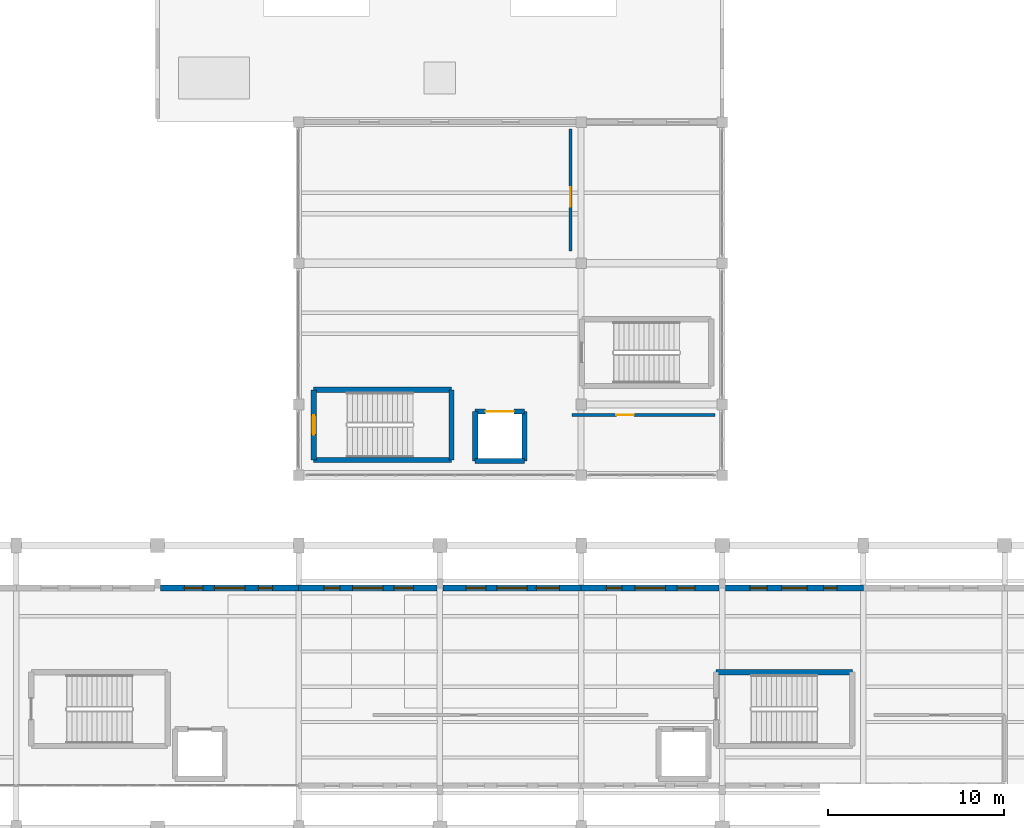
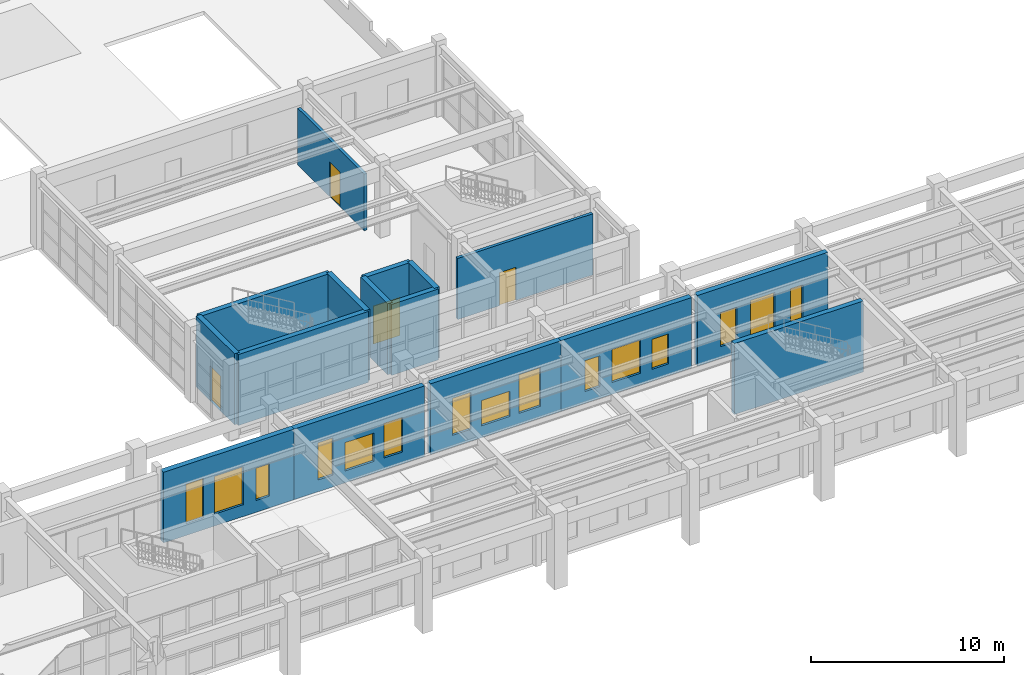
# One storey, part 44 of 59: 16 walls, 15 windows, 4 doors, 19 openings.
"""IFC4 building model written with IfcOpenShell, lengths in metres."""

from ifc_helpers import new_model, si_unit, direction, frame, frame_2d, origin, place, context, subcontext, project, spatial, rectangle, extrude, material, layer, layer_set, type_object, element, fill, save


model = new_model("IFC4")

# Units and contexts
model_context = context("Model", 3, precision=1e-05, world=origin(), true_north=direction((0.0, 1.0)))
body_context = subcontext(model_context, "Body", "Model", "MODEL_VIEW")
ifc_project = project(units=[si_unit("LENGTHUNIT", "METRE"), si_unit("AREAUNIT", "SQUARE_METRE"), si_unit("VOLUMEUNIT", "CUBIC_METRE"), si_unit("PLANEANGLEUNIT", "RADIAN"), si_unit("MASSUNIT", "GRAM", prefix="KILO")], contexts=[model_context])

# Site, building, storey
site_placement = place(None, origin())
site = spatial("IfcSite", under=ifc_project, at=site_placement, CompositionType="ELEMENT")
building_placement = place(site_placement, origin())
building = spatial("IfcBuilding", under=site, at=building_placement, Name="Serraluz Foothill Cableway Terminal", CompositionType="ELEMENT")
storey_placement = place(building_placement, frame((0.0, 0.0, 4.800048828125)))
storey = spatial("IfcBuildingStorey", under=building, at=storey_placement, Name="L01", CompositionType="ELEMENT", Elevation=4.800048828125)

# Wall, openings, windows
ifc_material_1 = material(Name="Dark clinker clay masonry brick (f'm 14 MPa)", Category="masonry")
ifc_layer_1 = layer(ifc_material_1, 0.320068359375, Name="Dark clinker clay masonry brick (f'm 14 MPa)", Category="masonry")
ifc_layer_set_1 = layer_set([ifc_layer_1], Name="Dark clinker clay masonry brick (f'm 14 MPa)")
wall_type_1 = type_object("IfcWallType", Name="TYP-WL-EXT-320", PredefinedType="STANDARD", material=ifc_layer_set_1)
wall_1_placement = place(storey_placement, frame((72.175048828125, 69.60009765625, 0.0), z_axis=(0.0, 0.0, 1.0), x_axis=(1.0, 0.0, 0.0)))
wall_1 = element("IfcWall", 1, at=wall_1_placement, inside=storey, type_object=wall_type_1, Name="Exterior Masonry Wall EW-V1N-L01-72", PredefinedType="STANDARD", context=body_context, shape_type="SweptSolid", body=[
    extrude(rectangle(XDim=7.824951171875, YDim=0.320068359375, at=frame_2d((3.91259765625, 0.0))), origin(), (0.0, 0.0, 1.0), 4.474853515625),
])
opening_1_placement = place(wall_1_placement, frame((1.35302734375, 0.0, 0.75)))
opening_1 = element("IfcOpeningElement", 2, at=opening_1_placement, cuts=wall_1, Name="Opening W-38", PredefinedType="OPENING", context=body_context, shape_type="SweptSolid", body=[
    extrude(rectangle(XDim=1.050048828125, YDim=2.5, at=frame_2d((0.52490234375, 1.25))), frame((0.0, 0.169921875, 0.0), z_axis=(0.0, -1.0, 0.0), x_axis=(1.0, 0.0, 0.0)), (0.0, 0.0, 1.0), 0.340087890625),
])
opening_2_placement = place(wall_1_placement, frame((3.051513671875, 0.0, 0.75)))
opening_2 = element("IfcOpeningElement", 3, at=opening_2_placement, cuts=wall_1, Name="Opening W-12", PredefinedType="OPENING", context=body_context, shape_type="SweptSolid", body=[
    extrude(rectangle(XDim=1.721923828125, YDim=2.39990234375, at=frame_2d((0.86083984375, 1.199951171875))), frame((0.0, 0.169921875, 0.0), z_axis=(0.0, -1.0, 0.0), x_axis=(1.0, 0.0, 0.0)), (0.0, 0.0, 1.0), 0.340087890625),
])
opening_3_placement = place(wall_1_placement, frame((5.547119140625, 0.0, 0.75)))
opening_3 = element("IfcOpeningElement", 4, at=opening_3_placement, cuts=wall_1, Name="Opening W-36", PredefinedType="OPENING", context=body_context, shape_type="SweptSolid", body=[
    extrude(rectangle(XDim=0.800048828125, YDim=2.050048828125, at=frame_2d((0.39990234375, 1.02490234375))), frame((0.0, 0.169921875, 0.0), z_axis=(0.0, -1.0, 0.0), x_axis=(1.0, 0.0, 0.0)), (0.0, 0.0, 1.0), 0.340087890625),
])
ifc_material_2 = material(Name="Laminated low-E safety glass", Category="glass")
window_type_1 = type_object("IfcWindowType", Name="TYP-WN-080X205", PartitioningType="SINGLE_PANEL", PredefinedType="WINDOW", material=ifc_material_2)
window_1_placement = place(opening_3_placement, origin())
window_1 = element("IfcWindow", 5, at=window_1_placement, inside=storey, type_object=window_type_1, Name="Exterior Window EW-V1N-L01-72-WN3", OverallHeight=2.050048828125, OverallWidth=0.800048828125, PartitioningType="SINGLE_PANEL", PredefinedType="WINDOW", context=body_context, shape_type="SweptSolid", body=[
    extrude(rectangle(XDim=0.800048828125, YDim=2.050048828125, at=frame_2d((0.39990234375, 1.02490234375))), frame((0.0, 0.030029296875, 0.0), z_axis=(0.0, -1.0, 0.0), x_axis=(1.0, 0.0, 0.0)), (0.0, 0.0, 1.0), 0.06005859375),
])
fill(opening_3, window_1)
window_type_2 = type_object("IfcWindowType", Name="TYP-WN-105X250", PartitioningType="SINGLE_PANEL", PredefinedType="WINDOW", material=ifc_material_2)
window_2_placement = place(opening_1_placement, origin())
window_2 = element("IfcWindow", 6, at=window_2_placement, inside=storey, type_object=window_type_2, Name="Exterior Window EW-V1N-L01-72-WN1", OverallHeight=2.5, OverallWidth=1.050048828125, PartitioningType="SINGLE_PANEL", PredefinedType="WINDOW", context=body_context, shape_type="SweptSolid", body=[
    extrude(rectangle(XDim=1.050048828125, YDim=2.5, at=frame_2d((0.52490234375, 1.25))), frame((0.0, 0.030029296875, 0.0), z_axis=(0.0, -1.0, 0.0), x_axis=(1.0, 0.0, 0.0)), (0.0, 0.0, 1.0), 0.06005859375),
])
fill(opening_1, window_2)
window_type_3 = type_object("IfcWindowType", Name="TYP-WN-210X240", PartitioningType="TRIPLE_PANEL_VERTICAL", PredefinedType="WINDOW", material=ifc_material_2)
window_3_placement = place(opening_2_placement, origin())
window_3 = element("IfcWindow", 7, at=window_3_placement, inside=storey, type_object=window_type_3, Name="Exterior Window EW-V1N-L01-72-WN2", OverallHeight=2.39990234375, OverallWidth=1.721923828125, PartitioningType="SINGLE_PANEL", PredefinedType="WINDOW", context=body_context, shape_type="SweptSolid", body=[
    extrude(rectangle(XDim=1.721923828125, YDim=2.39990234375, at=frame_2d((0.86083984375, 1.199951171875))), frame((0.0, 0.030029296875, 0.0), z_axis=(0.0, -1.0, 0.0), x_axis=(1.0, 0.0, 0.0)), (0.0, 0.0, 1.0), 0.06005859375),
])
fill(opening_2, window_3)

wall_2_placement = place(storey_placement, frame((80.0, 69.60009765625, 0.0), z_axis=(0.0, 0.0, 1.0), x_axis=(1.0, 0.0, 0.0)))
wall_2 = element("IfcWall", 8, at=wall_2_placement, inside=storey, type_object=wall_type_1, Name="Exterior Masonry Wall EW-V1N-L01-80", PredefinedType="STANDARD", context=body_context, shape_type="SweptSolid", body=[
    extrude(rectangle(XDim=7.824951171875, YDim=0.320068359375, at=frame_2d((3.91259765625, 0.0))), origin(), (0.0, 0.0, 1.0), 4.474853515625),
])
opening_4_placement = place(wall_2_placement, frame((1.427978515625, 0.0, 0.75)))
opening_4 = element("IfcOpeningElement", 9, at=opening_4_placement, cuts=wall_2, Name="Opening W-37", PredefinedType="OPENING", context=body_context, shape_type="SweptSolid", body=[
    extrude(rectangle(XDim=0.89990234375, YDim=2.35009765625, at=frame_2d((0.449951171875, 1.175048828125))), frame((0.0, 0.169921875, 0.0), z_axis=(0.0, -1.0, 0.0), x_axis=(1.0, 0.0, 0.0)), (0.0, 0.0, 1.0), 0.340087890625),
])
opening_5_placement = place(wall_2_placement, frame((3.051513671875, 0.0, 0.75)))
opening_5 = element("IfcOpeningElement", 10, at=opening_5_placement, cuts=wall_2, Name="Opening W-15", PredefinedType="OPENING", context=body_context, shape_type="SweptSolid", body=[
    extrude(rectangle(XDim=1.721923828125, YDim=1.800048828125, at=frame_2d((0.86083984375, 0.89990234375))), frame((0.0, 0.169921875, 0.0), z_axis=(0.0, -1.0, 0.0), x_axis=(1.0, 0.0, 0.0)), (0.0, 0.0, 1.0), 0.340087890625),
])
opening_6_placement = place(wall_2_placement, frame((5.39697265625, 0.0, 0.75)))
opening_6 = element("IfcOpeningElement", 11, at=opening_6_placement, cuts=wall_2, Name="Opening W-04", PredefinedType="OPENING", context=body_context, shape_type="SweptSolid", body=[
    extrude(rectangle(XDim=1.10009765625, YDim=2.199951171875, at=frame_2d((0.550048828125, 1.10009765625))), frame((0.0, 0.169921875, 0.0), z_axis=(0.0, -1.0, 0.0), x_axis=(1.0, 0.0, 0.0)), (0.0, 0.0, 1.0), 0.340087890625),
])
window_type_4 = type_object("IfcWindowType", Name="TYP-WN-090X235", PartitioningType="SINGLE_PANEL", PredefinedType="WINDOW", material=ifc_material_2)
window_4_placement = place(opening_4_placement, origin())
window_4 = element("IfcWindow", 12, at=window_4_placement, inside=storey, type_object=window_type_4, Name="Exterior Window EW-V1N-L01-80-WN1", OverallHeight=2.35009765625, OverallWidth=0.89990234375, PartitioningType="SINGLE_PANEL", PredefinedType="WINDOW", context=body_context, shape_type="SweptSolid", body=[
    extrude(rectangle(XDim=0.89990234375, YDim=2.35009765625, at=frame_2d((0.449951171875, 1.175048828125))), frame((0.0, 0.030029296875, 0.0), z_axis=(0.0, -1.0, 0.0), x_axis=(1.0, 0.0, 0.0)), (0.0, 0.0, 1.0), 0.06005859375),
])
fill(opening_4, window_4)
window_type_5 = type_object("IfcWindowType", Name="TYP-WN-110X220", PartitioningType="SINGLE_PANEL", PredefinedType="WINDOW", material=ifc_material_2)
window_5_placement = place(opening_6_placement, origin())
window_5 = element("IfcWindow", 13, at=window_5_placement, inside=storey, type_object=window_type_5, Name="Exterior Window EW-V1N-L01-80-WN3", OverallHeight=2.199951171875, OverallWidth=1.10009765625, PartitioningType="SINGLE_PANEL", PredefinedType="WINDOW", context=body_context, shape_type="SweptSolid", body=[
    extrude(rectangle(XDim=1.10009765625, YDim=2.199951171875, at=frame_2d((0.550048828125, 1.10009765625))), frame((0.0, 0.030029296875, 0.0), z_axis=(0.0, -1.0, 0.0), x_axis=(1.0, 0.0, 0.0)), (0.0, 0.0, 1.0), 0.06005859375),
])
fill(opening_6, window_5)
window_type_6 = type_object("IfcWindowType", Name="TYP-WN-270X180", PartitioningType="TRIPLE_PANEL_VERTICAL", PredefinedType="WINDOW", material=ifc_material_2)
window_6_placement = place(opening_5_placement, origin())
window_6 = element("IfcWindow", 14, at=window_6_placement, inside=storey, type_object=window_type_6, Name="Exterior Window EW-V1N-L01-80-WN2", OverallHeight=1.800048828125, OverallWidth=1.721923828125, PartitioningType="SINGLE_PANEL", PredefinedType="WINDOW", context=body_context, shape_type="SweptSolid", body=[
    extrude(rectangle(XDim=1.721923828125, YDim=1.800048828125, at=frame_2d((0.86083984375, 0.89990234375))), frame((0.0, 0.030029296875, 0.0), z_axis=(0.0, -1.0, 0.0), x_axis=(1.0, 0.0, 0.0)), (0.0, 0.0, 1.0), 0.06005859375),
])
fill(opening_5, window_6)

wall_3_placement = place(storey_placement, frame((88.175048828125, 69.60009765625, 0.0), z_axis=(0.0, 0.0, 1.0), x_axis=(1.0, 0.0, 0.0)))
wall_3 = element("IfcWall", 15, at=wall_3_placement, inside=storey, type_object=wall_type_1, Name="Exterior Masonry Wall EW-V1N-L01-88", PredefinedType="STANDARD", context=body_context, shape_type="SweptSolid", body=[
    extrude(rectangle(XDim=7.824951171875, YDim=0.320068359375, at=frame_2d((3.91259765625, 0.0))), origin(), (0.0, 0.0, 1.0), 4.474853515625),
])
opening_7_placement = place(wall_3_placement, frame((1.318115234375, 0.0, 0.75)))
opening_7 = element("IfcOpeningElement", 16, at=opening_7_placement, cuts=wall_3, Name="Opening W-50", PredefinedType="OPENING", context=body_context, shape_type="SweptSolid", body=[
    extrude(rectangle(XDim=1.1201171875, YDim=2.35009765625, at=frame_2d((0.56005859375, 1.175048828125))), frame((0.0, 0.169921875, 0.0), z_axis=(0.0, -1.0, 0.0), x_axis=(1.0, 0.0, 0.0)), (0.0, 0.0, 1.0), 0.340087890625),
])
opening_8_placement = place(wall_3_placement, frame((3.051513671875, 0.0, 0.75)))
opening_8 = element("IfcOpeningElement", 17, at=opening_8_placement, cuts=wall_3, Name="Opening W-18", PredefinedType="OPENING", context=body_context, shape_type="SweptSolid", body=[
    extrude(rectangle(XDim=1.721923828125, YDim=1.60009765625, at=frame_2d((0.86083984375, 0.800048828125))), frame((0.0, 0.169921875, 0.0), z_axis=(0.0, -1.0, 0.0), x_axis=(1.0, 0.0, 0.0)), (0.0, 0.0, 1.0), 0.340087890625),
])
opening_9_placement = place(wall_3_placement, frame((5.297119140625, 0.0, 0.75)))
opening_9 = element("IfcOpeningElement", 18, at=opening_9_placement, cuts=wall_3, Name="Opening W-40", PredefinedType="OPENING", context=body_context, shape_type="SweptSolid", body=[
    extrude(rectangle(XDim=1.300048828125, YDim=2.449951171875, at=frame_2d((0.64990234375, 1.22509765625))), frame((0.0, 0.169921875, 0.0), z_axis=(0.0, -1.0, 0.0), x_axis=(1.0, 0.0, 0.0)), (0.0, 0.0, 1.0), 0.340087890625),
])
window_type_7 = type_object("IfcWindowType", Name="TYP-WN-112X235", PartitioningType="SINGLE_PANEL", PredefinedType="WINDOW", material=ifc_material_2)
window_7_placement = place(opening_7_placement, origin())
window_7 = element("IfcWindow", 19, at=window_7_placement, inside=storey, type_object=window_type_7, Name="Exterior Window EW-V1N-L01-88-WN1", OverallHeight=2.35009765625, OverallWidth=1.1201171875, PartitioningType="SINGLE_PANEL", PredefinedType="WINDOW", context=body_context, shape_type="SweptSolid", body=[
    extrude(rectangle(XDim=1.1201171875, YDim=2.35009765625, at=frame_2d((0.56005859375, 1.175048828125))), frame((0.0, 0.030029296875, 0.0), z_axis=(0.0, -1.0, 0.0), x_axis=(1.0, 0.0, 0.0)), (0.0, 0.0, 1.0), 0.06005859375),
])
fill(opening_7, window_7)
window_type_8 = type_object("IfcWindowType", Name="TYP-WN-130X245", PartitioningType="DOUBLE_PANEL_VERTICAL", PredefinedType="WINDOW", material=ifc_material_2)
window_8_placement = place(opening_9_placement, origin())
window_8 = element("IfcWindow", 20, at=window_8_placement, inside=storey, type_object=window_type_8, Name="Exterior Window EW-V1N-L01-88-WN3", OverallHeight=2.449951171875, OverallWidth=1.300048828125, PartitioningType="SINGLE_PANEL", PredefinedType="WINDOW", context=body_context, shape_type="SweptSolid", body=[
    extrude(rectangle(XDim=1.300048828125, YDim=2.449951171875, at=frame_2d((0.64990234375, 1.22509765625))), frame((0.0, 0.030029296875, 0.0), z_axis=(0.0, -1.0, 0.0), x_axis=(1.0, 0.0, 0.0)), (0.0, 0.0, 1.0), 0.06005859375),
])
fill(opening_9, window_8)
window_type_9 = type_object("IfcWindowType", Name="TYP-WN-330X160", PartitioningType="TRIPLE_PANEL_VERTICAL", PredefinedType="WINDOW", material=ifc_material_2)
window_9_placement = place(opening_8_placement, origin())
window_9 = element("IfcWindow", 21, at=window_9_placement, inside=storey, type_object=window_type_9, Name="Exterior Window EW-V1N-L01-88-WN2", OverallHeight=1.60009765625, OverallWidth=1.721923828125, PartitioningType="SINGLE_PANEL", PredefinedType="WINDOW", context=body_context, shape_type="SweptSolid", body=[
    extrude(rectangle(XDim=1.721923828125, YDim=1.60009765625, at=frame_2d((0.86083984375, 0.800048828125))), frame((0.0, 0.030029296875, 0.0), z_axis=(0.0, -1.0, 0.0), x_axis=(1.0, 0.0, 0.0)), (0.0, 0.0, 1.0), 0.06005859375),
])
fill(opening_8, window_9)

wall_4_placement = place(storey_placement, frame((96.0, 69.60009765625, 0.0), z_axis=(0.0, 0.0, 1.0), x_axis=(1.0, 0.0, 0.0)))
wall_4 = element("IfcWall", 22, at=wall_4_placement, inside=storey, type_object=wall_type_1, Name="Exterior Masonry Wall EW-V1N-L01-96", PredefinedType="STANDARD", context=body_context, shape_type="SweptSolid", body=[
    extrude(rectangle(XDim=7.824951171875, YDim=0.320068359375, at=frame_2d((3.91259765625, 0.0))), origin(), (0.0, 0.0, 1.0), 4.474853515625),
])
opening_10_placement = place(wall_4_placement, frame((1.43798828125, 0.0, 0.75)))
opening_10 = element("IfcOpeningElement", 23, at=opening_10_placement, cuts=wall_4, Name="Opening W-48", PredefinedType="OPENING", context=body_context, shape_type="SweptSolid", body=[
    extrude(rectangle(XDim=0.8798828125, YDim=1.949951171875, at=frame_2d((0.43994140625, 0.97509765625))), frame((0.0, 0.169921875, 0.0), z_axis=(0.0, -1.0, 0.0), x_axis=(1.0, 0.0, 0.0)), (0.0, 0.0, 1.0), 0.340087890625),
])
opening_11_placement = place(wall_4_placement, frame((3.051513671875, 0.0, 0.75)))
opening_11 = element("IfcOpeningElement", 24, at=opening_11_placement, cuts=wall_4, Name="Opening W-22", PredefinedType="OPENING", context=body_context, shape_type="SweptSolid", body=[
    extrude(rectangle(XDim=1.721923828125, YDim=2.10009765625, at=frame_2d((0.86083984375, 1.050048828125))), frame((0.0, 0.169921875, 0.0), z_axis=(0.0, -1.0, 0.0), x_axis=(1.0, 0.0, 0.0)), (0.0, 0.0, 1.0), 0.340087890625),
])
opening_12_placement = place(wall_4_placement, frame((5.447021484375, 0.0, 0.75)))
opening_12 = element("IfcOpeningElement", 25, at=opening_12_placement, cuts=wall_4, Name="Opening W-24", PredefinedType="OPENING", context=body_context, shape_type="SweptSolid", body=[
    extrude(rectangle(XDim=1.0, YDim=1.89990234375, at=frame_2d((0.5, 0.949951171875))), frame((0.0, 0.169921875, 0.0), z_axis=(0.0, -1.0, 0.0), x_axis=(1.0, 0.0, 0.0)), (0.0, 0.0, 1.0), 0.340087890625),
])
window_type_10 = type_object("IfcWindowType", Name="TYP-WN-088X195", PartitioningType="SINGLE_PANEL", PredefinedType="WINDOW", material=ifc_material_2)
window_10_placement = place(opening_10_placement, origin())
window_10 = element("IfcWindow", 26, at=window_10_placement, inside=storey, type_object=window_type_10, Name="Exterior Window EW-V1N-L01-96-WN1", OverallHeight=1.949951171875, OverallWidth=0.8798828125, PartitioningType="SINGLE_PANEL", PredefinedType="WINDOW", context=body_context, shape_type="SweptSolid", body=[
    extrude(rectangle(XDim=0.8798828125, YDim=1.949951171875, at=frame_2d((0.43994140625, 0.97509765625))), frame((0.0, 0.030029296875, 0.0), z_axis=(0.0, -1.0, 0.0), x_axis=(1.0, 0.0, 0.0)), (0.0, 0.0, 1.0), 0.06005859375),
])
fill(opening_10, window_10)
window_type_11 = type_object("IfcWindowType", Name="TYP-WN-100X190", PartitioningType="SINGLE_PANEL", PredefinedType="WINDOW", material=ifc_material_2)
window_11_placement = place(opening_12_placement, origin())
window_11 = element("IfcWindow", 27, at=window_11_placement, inside=storey, type_object=window_type_11, Name="Exterior Window EW-V1N-L01-96-WN3", OverallHeight=1.89990234375, OverallWidth=1.0, PartitioningType="SINGLE_PANEL", PredefinedType="WINDOW", context=body_context, shape_type="SweptSolid", body=[
    extrude(rectangle(XDim=1.0, YDim=1.89990234375, at=frame_2d((0.5, 0.949951171875))), frame((0.0, 0.030029296875, 0.0), z_axis=(0.0, -1.0, 0.0), x_axis=(1.0, 0.0, 0.0)), (0.0, 0.0, 1.0), 0.06005859375),
])
fill(opening_12, window_11)
window_type_12 = type_object("IfcWindowType", Name="TYP-WN-420X210", PartitioningType="TRIPLE_PANEL_VERTICAL", PredefinedType="WINDOW", material=ifc_material_2)
window_12_placement = place(opening_11_placement, origin())
window_12 = element("IfcWindow", 28, at=window_12_placement, inside=storey, type_object=window_type_12, Name="Exterior Window EW-V1N-L01-96-WN2", OverallHeight=2.10009765625, OverallWidth=1.721923828125, PartitioningType="SINGLE_PANEL", PredefinedType="WINDOW", context=body_context, shape_type="SweptSolid", body=[
    extrude(rectangle(XDim=1.721923828125, YDim=2.10009765625, at=frame_2d((0.86083984375, 1.050048828125))), frame((0.0, 0.030029296875, 0.0), z_axis=(0.0, -1.0, 0.0), x_axis=(1.0, 0.0, 0.0)), (0.0, 0.0, 1.0), 0.06005859375),
])
fill(opening_11, window_12)

wall_5_placement = place(storey_placement, frame((104.175048828125, 69.60009765625, 0.0), z_axis=(0.0, 0.0, 1.0), x_axis=(1.0, 0.0, 0.0)))
wall_5 = element("IfcWall", 29, at=wall_5_placement, inside=storey, type_object=wall_type_1, Name="Exterior Masonry Wall EW-V1N-L01-104", PredefinedType="STANDARD", context=body_context, shape_type="SweptSolid", body=[
    extrude(rectangle(XDim=7.824951171875, YDim=0.320068359375, at=frame_2d((3.91259765625, 0.0))), origin(), (0.0, 0.0, 1.0), 4.474853515625),
])
opening_13_placement = place(wall_5_placement, frame((1.387939453125, 0.0, 0.75)))
opening_13 = element("IfcOpeningElement", 30, at=opening_13_placement, cuts=wall_5, Name="Opening W-49", PredefinedType="OPENING", context=body_context, shape_type="SweptSolid", body=[
    extrude(rectangle(XDim=0.97998046875, YDim=2.14990234375, at=frame_2d((0.489990234375, 1.074951171875))), frame((0.0, 0.169921875, 0.0), z_axis=(0.0, -1.0, 0.0), x_axis=(1.0, 0.0, 0.0)), (0.0, 0.0, 1.0), 0.340087890625),
])
opening_14_placement = place(wall_5_placement, frame((3.1875, 0.0, 0.75)))
opening_14 = element("IfcOpeningElement", 31, at=opening_14_placement, cuts=wall_5, Name="Opening W-26", PredefinedType="OPENING", context=body_context, shape_type="SweptSolid", body=[
    extrude(rectangle(XDim=1.449951171875, YDim=2.300048828125, at=frame_2d((0.72509765625, 1.14990234375))), frame((0.0, 0.169921875, 0.0), z_axis=(0.0, -1.0, 0.0), x_axis=(1.0, 0.0, 0.0)), (0.0, 0.0, 1.0), 0.340087890625),
])
opening_15_placement = place(wall_5_placement, frame((5.572021484375, 0.0, 0.75)))
opening_15 = element("IfcOpeningElement", 32, at=opening_15_placement, cuts=wall_5, Name="Opening W-01", PredefinedType="OPENING", context=body_context, shape_type="SweptSolid", body=[
    extrude(rectangle(XDim=0.75, YDim=2.199951171875, at=frame_2d((0.375, 1.10009765625))), frame((0.0, 0.169921875, 0.0), z_axis=(0.0, -1.0, 0.0), x_axis=(1.0, 0.0, 0.0)), (0.0, 0.0, 1.0), 0.340087890625),
])
window_type_13 = type_object("IfcWindowType", Name="TYP-WN-075X220", PartitioningType="SINGLE_PANEL", PredefinedType="WINDOW", material=ifc_material_2)
window_13_placement = place(opening_15_placement, origin())
window_13 = element("IfcWindow", 33, at=window_13_placement, inside=storey, type_object=window_type_13, Name="Exterior Window EW-V1N-L01-104-WN3", OverallHeight=2.199951171875, OverallWidth=0.75, PartitioningType="SINGLE_PANEL", PredefinedType="WINDOW", context=body_context, shape_type="SweptSolid", body=[
    extrude(rectangle(XDim=0.75, YDim=2.199951171875, at=frame_2d((0.375, 1.10009765625))), frame((0.0, 0.030029296875, 0.0), z_axis=(0.0, -1.0, 0.0), x_axis=(1.0, 0.0, 0.0)), (0.0, 0.0, 1.0), 0.06005859375),
])
fill(opening_15, window_13)
window_type_14 = type_object("IfcWindowType", Name="TYP-WN-098X215", PartitioningType="SINGLE_PANEL", PredefinedType="WINDOW", material=ifc_material_2)
window_14_placement = place(opening_13_placement, origin())
window_14 = element("IfcWindow", 34, at=window_14_placement, inside=storey, type_object=window_type_14, Name="Exterior Window EW-V1N-L01-104-WN1", OverallHeight=2.14990234375, OverallWidth=0.97998046875, PartitioningType="SINGLE_PANEL", PredefinedType="WINDOW", context=body_context, shape_type="SweptSolid", body=[
    extrude(rectangle(XDim=0.97998046875, YDim=2.14990234375, at=frame_2d((0.489990234375, 1.074951171875))), frame((0.0, 0.030029296875, 0.0), z_axis=(0.0, -1.0, 0.0), x_axis=(1.0, 0.0, 0.0)), (0.0, 0.0, 1.0), 0.06005859375),
])
fill(opening_13, window_14)
window_type_15 = type_object("IfcWindowType", Name="TYP-WN-145X230", PartitioningType="DOUBLE_PANEL_VERTICAL", PredefinedType="WINDOW", material=ifc_material_2)
window_15_placement = place(opening_14_placement, origin())
window_15 = element("IfcWindow", 35, at=window_15_placement, inside=storey, type_object=window_type_15, Name="Exterior Window EW-V1N-L01-104-WN2", OverallHeight=2.300048828125, OverallWidth=1.449951171875, PartitioningType="SINGLE_PANEL", PredefinedType="WINDOW", context=body_context, shape_type="SweptSolid", body=[
    extrude(rectangle(XDim=1.449951171875, YDim=2.300048828125, at=frame_2d((0.72509765625, 1.14990234375))), frame((0.0, 0.030029296875, 0.0), z_axis=(0.0, -1.0, 0.0), x_axis=(1.0, 0.0, 0.0)), (0.0, 0.0, 1.0), 0.06005859375),
])
fill(opening_14, window_15)

# Wall, opening, door
ifc_material_3 = material(Name="Fired clay masonry brick (f'm 12 MPa)", Category="masonry")
ifc_layer_2 = layer(ifc_material_3, 0.179931640625, Name="Fired clay masonry brick (f'm 12 MPa)", Category="masonry")
ifc_layer_set_2 = layer_set([ifc_layer_2], Name="Fired clay masonry brick (f'm 12 MPa)")
wall_type_2 = type_object("IfcWallType", Name="TYP-WL-PRT-180", PredefinedType="PARTITIONING", material=ifc_layer_set_2)
wall_6_placement = place(storey_placement, frame((95.39990234375, 88.699951171875, 0.0), z_axis=(0.0, 0.0, 1.0), x_axis=(0.0, 1.0, 0.0)))
wall_6 = element("IfcWall", 36, at=wall_6_placement, inside=storey, type_object=wall_type_2, Name="Interior Partition PT-L01-12W", PredefinedType="PARTITIONING", context=body_context, shape_type="SweptSolid", body=[
    extrude(rectangle(XDim=6.900146484375, YDim=0.179931640625, at=frame_2d((3.4501953125, 0.0))), origin(), (0.0, 0.0, 1.0), 3.592041015625),
])
opening_16_placement = place(wall_6_placement, frame((2.5, 0.0, 0.0)))
opening_16 = element("IfcOpeningElement", 37, at=opening_16_placement, cuts=wall_6, Name="Opening DF-03", PredefinedType="OPENING", context=body_context, shape_type="SweptSolid", body=[
    extrude(rectangle(XDim=1.10009765625, YDim=2.199951171875, at=frame_2d((0.550048828125, 1.10009765625))), frame((0.0, 0.10009765625, 0.0), z_axis=(0.0, -1.0, 0.0), x_axis=(1.0, 0.0, 0.0)), (0.0, 0.0, 1.0), 0.199951171875),
])
ifc_material_4 = material(Name="Galvanized hollow-metal steel sheet", Category="steel")
door_type_1 = type_object("IfcDoorType", Name="TYP-DR-FD30-1100", OperationType="NOTDEFINED", PredefinedType="DOOR", material=ifc_material_4)
door_1_placement = place(opening_16_placement, origin())
door_1 = element("IfcDoor", 38, at=door_1_placement, inside=storey, type_object=door_type_1, Name="Interior Door PT-L01-12W-DR1", OperationType="SINGLE_SWING_RIGHT", OverallHeight=2.199951171875, OverallWidth=1.10009765625, PredefinedType="DOOR", context=body_context, shape_type="SweptSolid", body=[
    extrude(rectangle(XDim=1.10009765625, YDim=2.199951171875, at=frame_2d((0.550048828125, 1.10009765625))), frame((0.0, 0.02490234375, 0.0), z_axis=(0.0, -1.0, 0.0), x_axis=(1.0, 0.0, 0.0)), (0.0, 0.0, 1.0), 0.050048828125),
])
fill(opening_16, door_1)

wall_7_placement = place(storey_placement, frame((95.5, 79.39990234375, 0.0), z_axis=(0.0, 0.0, 1.0), x_axis=(1.0, 0.0, 0.0)))
wall_7 = element("IfcWall", 39, at=wall_7_placement, inside=storey, type_object=wall_type_2, Name="Interior Partition PT-L01-13N", PredefinedType="PARTITIONING", context=body_context, shape_type="SweptSolid", body=[
    extrude(rectangle(XDim=8.10009765625, YDim=0.179931640625, at=frame_2d((4.050048828125, 0.0))), origin(), (0.0, 0.0, 1.0), 3.8759765625),
])
opening_17_placement = place(wall_7_placement, frame((2.5, 0.0, 0.0)))
opening_17 = element("IfcOpeningElement", 40, at=opening_17_placement, cuts=wall_7, Name="Opening DI-04", PredefinedType="OPENING", context=body_context, shape_type="SweptSolid", body=[
    extrude(rectangle(XDim=1.0, YDim=2.10009765625, at=frame_2d((0.5, 1.050048828125))), frame((0.0, 0.10009765625, 0.0), z_axis=(0.0, -1.0, 0.0), x_axis=(1.0, 0.0, 0.0)), (0.0, 0.0, 1.0), 0.199951171875),
])
ifc_material_5 = material(Name="Kiln-dried Andean oak hardwood", Category="wood")
door_type_2 = type_object("IfcDoorType", Name="TYP-DR-ACC-1000", OperationType="NOTDEFINED", PredefinedType="DOOR", material=ifc_material_5)
door_2_placement = place(opening_17_placement, origin())
door_2 = element("IfcDoor", 41, at=door_2_placement, inside=storey, type_object=door_type_2, Name="Interior Door PT-L01-13N-DR1", OperationType="SINGLE_SWING_LEFT", OverallHeight=2.10009765625, OverallWidth=1.0, PredefinedType="DOOR", context=body_context, shape_type="SweptSolid", body=[
    extrude(rectangle(XDim=1.0, YDim=2.10009765625, at=frame_2d((0.5, 1.050048828125))), frame((0.0, 0.02490234375, 0.0), z_axis=(0.0, -1.0, 0.0), x_axis=(1.0, 0.0, 0.0)), (0.0, 0.0, 1.0), 0.050048828125),
])
fill(opening_17, door_2)

# Walls
ifc_material_6 = material(Name="Concrete C35/45 (f'c 35 MPa)", Category="concrete")
ifc_layer_3 = layer(ifc_material_6, 0.300048828125, Name="Concrete C35/45 (f'c 35 MPa)", Category="concrete")
ifc_layer_set_3 = layer_set([ifc_layer_3], Name="Concrete C35/45 (f'c 35 MPa)")
wall_type_3 = type_object("IfcWallType", Name="TYP-WL-SHR-350", PredefinedType="SHEAR", material=ifc_layer_set_3)
wall_8_placement = place(storey_placement, frame((103.64990234375, 64.830078125, 0.0), z_axis=(0.0, 0.0, 1.0), x_axis=(1.0, 0.0, 0.0)))
element("IfcWall", 42, at=wall_8_placement, inside=storey, type_object=wall_type_3, Name="Stair Core Shear Wall CW-ST-04-L01-N", PredefinedType="SHEAR", context=body_context, shape_type="SweptSolid", body=[
    extrude(rectangle(XDim=7.72509765625, YDim=0.300048828125, at=frame_2d((3.862548828125, 0.0))), origin(), (0.0, 0.0, 1.0), 4.5),
])
wall_9_placement = place(storey_placement, frame((88.659912109375, 76.85009765625, 0.0), z_axis=(0.0, 0.0, 1.0), x_axis=(-1.0, 0.0, 0.0)))
element("IfcWall", 43, at=wall_9_placement, inside=storey, type_object=wall_type_3, Name="Stair Core Shear Wall CW-ST-08-L01-S", PredefinedType="SHEAR", context=body_context, shape_type="SweptSolid", body=[
    extrude(rectangle(XDim=7.809814453125, YDim=0.300048828125, at=frame_2d((3.90478515625, 0.0))), origin(), (0.0, 0.0, 1.0), 4.5),
])

# Wall, opening, door
wall_10_placement = place(storey_placement, frame((80.85009765625, 76.85009765625, 0.0), z_axis=(0.0, 0.0, 1.0), x_axis=(0.0, 1.0, 0.0)))
wall_10 = element("IfcWall", 44, at=wall_10_placement, inside=storey, type_object=wall_type_3, Name="Stair Core Shear Wall CW-ST-08-L01-W", PredefinedType="SHEAR", context=body_context, shape_type="SweptSolid", body=[
    extrude(rectangle(XDim=3.97998046875, YDim=0.300048828125, at=frame_2d((1.989990234375, 0.0))), origin(), (0.0, 0.0, 1.0), 4.5),
])
opening_18_placement = place(wall_10_placement, frame((1.43994140625, 0.0, 0.0)))
opening_18 = element("IfcOpeningElement", 45, at=opening_18_placement, cuts=wall_10, Name="Opening DF-07", PredefinedType="OPENING", context=body_context, shape_type="SweptSolid", body=[
    extrude(rectangle(XDim=1.10009765625, YDim=2.199951171875, at=frame_2d((0.550048828125, 1.10009765625))), frame((0.0, 0.16015625, 0.0), z_axis=(0.0, -1.0, 0.0), x_axis=(1.0, 0.0, 0.0)), (0.0, 0.0, 1.0), 0.320068359375),
])
door_type_3 = type_object("IfcDoorType", Name="TYP-DR-FD60-1100", OperationType="NOTDEFINED", PredefinedType="DOOR", material=ifc_material_4)
door_3_placement = place(opening_18_placement, origin())
door_3 = element("IfcDoor", 46, at=door_3_placement, inside=storey, type_object=door_type_3, Name="Exit Stair Fire Door ST-08 L01", OperationType="SINGLE_SWING_LEFT", OverallHeight=2.199951171875, OverallWidth=1.10009765625, PredefinedType="DOOR", context=body_context, shape_type="SweptSolid", body=[
    extrude(rectangle(XDim=1.10009765625, YDim=2.199951171875, at=frame_2d((0.550048828125, 1.10009765625))), frame((0.0, 0.02490234375, 0.0), z_axis=(0.0, -1.0, 0.0), x_axis=(1.0, 0.0, 0.0)), (0.0, 0.0, 1.0), 0.050048828125),
])
fill(opening_18, door_3)

# Walls
wall_11_placement = place(storey_placement, frame((80.85009765625, 80.830078125, 0.0), z_axis=(0.0, 0.0, 1.0), x_axis=(1.0, 0.0, 0.0)))
element("IfcWall", 47, at=wall_11_placement, inside=storey, type_object=wall_type_3, Name="Stair Core Shear Wall CW-ST-08-L01-N", PredefinedType="SHEAR", context=body_context, shape_type="SweptSolid", body=[
    extrude(rectangle(XDim=7.809814453125, YDim=0.300048828125, at=frame_2d((3.90478515625, 0.0))), origin(), (0.0, 0.0, 1.0), 4.5),
])
wall_12_placement = place(storey_placement, frame((88.659912109375, 80.830078125, 0.0), z_axis=(0.0, 0.0, 1.0), x_axis=(0.0, -1.0, 0.0)))
element("IfcWall", 48, at=wall_12_placement, inside=storey, type_object=wall_type_3, Name="Stair Core Shear Wall CW-ST-08-L01-E", PredefinedType="SHEAR", context=body_context, shape_type="SweptSolid", body=[
    extrude(rectangle(XDim=3.97998046875, YDim=0.300048828125, at=frame_2d((1.989990234375, 0.0))), origin(), (0.0, 0.0, 1.0), 4.5),
])
for number, where, z_axis, x_axis, name in (
    (49, (92.800048828125, 76.800048828125, 0.0), (0.0, 0.0, 1.0), (-1.0, 0.0, 0.0), "Lift Shaft Shear Wall LW-LF-07-L01-S"),
    (50, (90.0, 76.800048828125, 0.0), (0.0, 0.0, 1.0), (0.0, 1.0, 0.0), "Lift Shaft Shear Wall LW-LF-07-L01-W"),
):
    element("IfcWall", number, at=place(storey_placement, frame(where, z_axis=z_axis, x_axis=x_axis)), inside=storey, type_object=wall_type_3, Name=name, PredefinedType="SHEAR", context=body_context, shape_type="SweptSolid", body=[
        extrude(rectangle(XDim=2.800048828125, YDim=0.300048828125, at=frame_2d((1.39990234375, 0.0))), origin(), (0.0, 0.0, 1.0), 4.5),
    ])

# Wall, opening, door
wall_13_placement = place(storey_placement, frame((90.0, 79.60009765625, 0.0), z_axis=(0.0, 0.0, 1.0), x_axis=(1.0, 0.0, 0.0)))
wall_13 = element("IfcWall", 51, at=wall_13_placement, inside=storey, type_object=wall_type_3, Name="Lift Shaft Shear Wall LW-LF-07-L01-N", PredefinedType="SHEAR", context=body_context, shape_type="SweptSolid", body=[
    extrude(rectangle(XDim=2.800048828125, YDim=0.300048828125, at=frame_2d((1.39990234375, 0.0))), origin(), (0.0, 0.0, 1.0), 4.5),
])
opening_19_placement = place(wall_13_placement, frame((0.60009765625, 0.0, 0.0)))
opening_19 = element("IfcOpeningElement", 52, at=opening_19_placement, cuts=wall_13, Name="Opening LD-03", PredefinedType="OPENING", context=body_context, shape_type="SweptSolid", body=[
    extrude(rectangle(XDim=1.60009765625, YDim=2.39990234375, at=frame_2d((0.800048828125, 1.199951171875))), frame((0.0, 0.16015625, 0.0), z_axis=(0.0, -1.0, 0.0), x_axis=(1.0, 0.0, 0.0)), (0.0, 0.0, 1.0), 0.320068359375),
])
door_type_4 = type_object("IfcDoorType", Name="TYP-DR-LD-1600", OperationType="DOUBLE_DOOR_SLIDING", PredefinedType="DOOR", material=ifc_material_4)
door_4_placement = place(opening_19_placement, origin())
door_4 = element("IfcDoor", 53, at=door_4_placement, inside=storey, type_object=door_type_4, Name="Lift Sliding Landing Door LF-07 L01", OperationType="DOUBLE_DOOR_SLIDING", OverallHeight=2.39990234375, OverallWidth=1.60009765625, PredefinedType="DOOR", context=body_context, shape_type="SweptSolid", body=[
    extrude(rectangle(XDim=1.60009765625, YDim=2.39990234375, at=frame_2d((0.800048828125, 1.199951171875))), frame((0.0, 0.02490234375, 0.0), z_axis=(0.0, -1.0, 0.0), x_axis=(1.0, 0.0, 0.0)), (0.0, 0.0, 1.0), 0.050048828125),
])
fill(opening_19, door_4)

# Wall
wall_14_placement = place(storey_placement, frame((92.800048828125, 79.60009765625, 0.0), z_axis=(0.0, 0.0, 1.0), x_axis=(0.0, -1.0, 0.0)))
element("IfcWall", 54, at=wall_14_placement, inside=storey, type_object=wall_type_3, Name="Lift Shaft Shear Wall LW-LF-07-L01-E", PredefinedType="SHEAR", context=body_context, shape_type="SweptSolid", body=[
    extrude(rectangle(XDim=2.800048828125, YDim=0.300048828125, at=frame_2d((1.39990234375, 0.0))), origin(), (0.0, 0.0, 1.0), 4.5),
])

save(model, "model.ifc")
